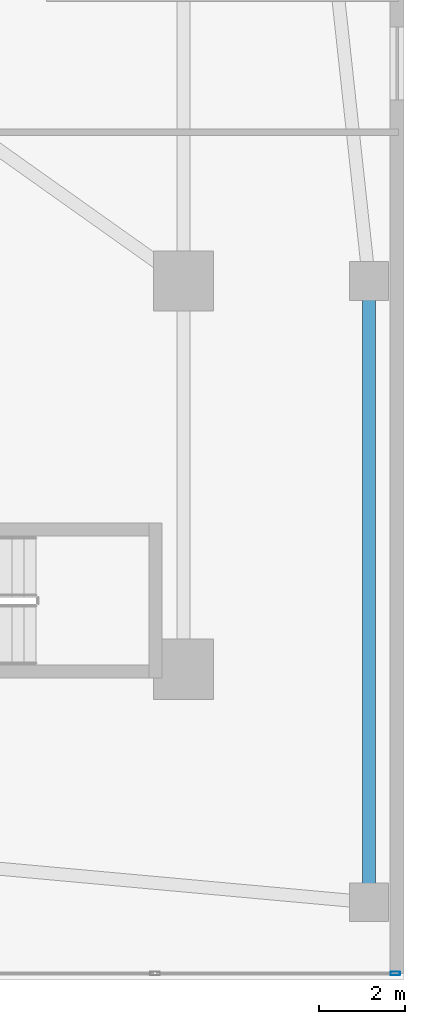
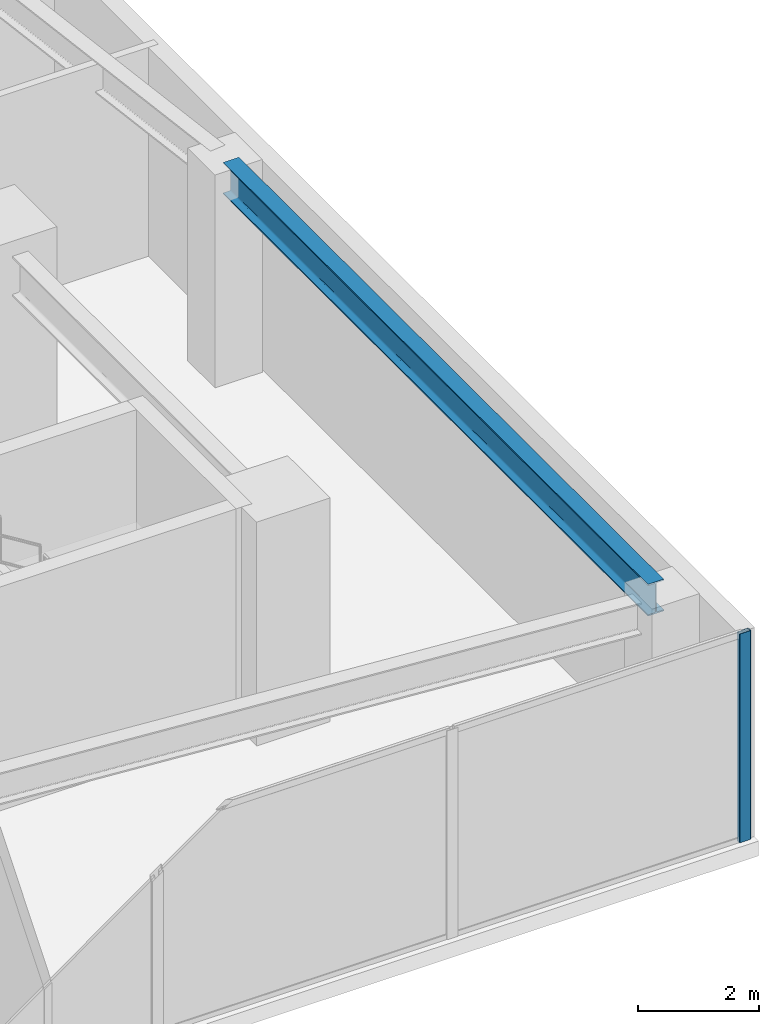
# One storey, part 15 of 29: 1 beam, 1 member, 1 element without a shape of its own.
"""IFC4 building model written with IfcOpenShell, lengths in metres."""

from ifc_helpers import new_model, si_unit, direction, frame, origin, origin_2d, place, context, subcontext, project, spatial, hollow_rectangle, i_section, extrude, material, layer, layer_set, material_profile, profile_set, type_object, element, aggregate, save


model = new_model("IFC4")

# Units and contexts
model_context = context("Model", 3, precision=1e-05, world=origin(), true_north=direction((0.0, 1.0)))
body_context = subcontext(model_context, "Body", "Model", "MODEL_VIEW")
ifc_project = project(units=[si_unit("LENGTHUNIT", "METRE"), si_unit("AREAUNIT", "SQUARE_METRE"), si_unit("VOLUMEUNIT", "CUBIC_METRE"), si_unit("PLANEANGLEUNIT", "RADIAN"), si_unit("MASSUNIT", "GRAM", prefix="KILO")], contexts=[model_context])

# Site, building, storey
site_placement = place(None, origin())
site = spatial("IfcSite", under=ifc_project, at=site_placement, CompositionType="ELEMENT")
building_placement = place(site_placement, origin())
building = spatial("IfcBuilding", under=site, at=building_placement, Name="Tarnavaz Court Tower", CompositionType="ELEMENT")
storey_placement = place(building_placement, frame((0.0, 0.0, 5.39990234375)))
storey = spatial("IfcBuildingStorey", under=building, at=storey_placement, Name="L01", CompositionType="ELEMENT", Elevation=5.39990234375)

# Beam
ifc_material_1 = material(Name="Steel S355", Category="steel")
ifc_material_profile_1 = material_profile(ifc_material_1, i_section(OverallWidth=0.300048828125, OverallDepth=0.639892578125, WebThickness=0.013427734375, FlangeThickness=0.02587890625, FilletRadius=0.027099609375, at=origin_2d()), Name="HEA 650")
ifc_profile_set_1 = profile_set([ifc_material_profile_1], Name="Steel S355")
beam_type = type_object("IfcBeamType", Name="BM-SP-HEA650", PredefinedType="SPANDREL", material=ifc_profile_set_1)
beam_placement = place(storey_placement, frame((32.199951171875, -28.0, 3.960205078125), z_axis=(0.0, 1.0, 0.0), x_axis=(-1.0, 0.0, 0.0)))
element("IfcBeam", 1, at=beam_placement, inside=storey, type_object=beam_type, Name="L01 Beam PR-POD-SE1-POD-E1", PredefinedType="SPANDREL", context=body_context, shape_type="SweptSolid", body=[
    extrude(i_section(OverallWidth=0.300048828125, OverallDepth=0.639892578125, WebThickness=0.013427734375, FlangeThickness=0.02587890625, FilletRadius=0.027099609375, at=origin_2d()), origin(), (0.0, 0.0, 1.0), 14.0),
])

# Curtain wall, member
ifc_material_2 = material(Name="Anodised Aluminium 6063-T6 and Solar Low-E Glazing", Category="aluminium")
ifc_layer = layer(ifc_material_2, 0.18994140625)
ifc_layer_set = layer_set([ifc_layer], Name="Anodised Aluminium 6063-T6 and Solar Low-E Glazing")
curtain_wall_type = type_object("IfcCurtainWallType", Name="CW-SYS-01", PredefinedType="NOTDEFINED", material=ifc_layer_set)
curtain_wall_placement = place(storey_placement, origin())
curtain_wall = element("IfcCurtainWall", 2, at=curtain_wall_placement, inside=storey, type_object=curtain_wall_type, Name="L01 Clinic South Curtain Wall 3", PredefinedType="NOTDEFINED")
ifc_material_3 = material(Name="Anodised Aluminium 6063-T6", Category="aluminium")
ifc_material_profile_2 = material_profile(ifc_material_3, hollow_rectangle(XDim=0.0849609375, YDim=0.219970703125, WallThickness=0.006103515625, InnerFilletRadius=0.006103515625, OuterFilletRadius=0.011962890625, at=origin_2d()), Name="ALU RHS 220X85X6")
ifc_profile_set_2 = profile_set([ifc_material_profile_2], Name="Anodised Aluminium 6063-T6")
member_type = type_object("IfcMemberType", Name="CW-MUL-220", PredefinedType="MULLION", material=ifc_profile_set_2)
member_placement = place(storey_placement, frame((32.8076171875, -29.85009765625, 0.0), z_axis=(0.0, 0.0, 1.0), x_axis=(0.0, -1.0, 0.0)))
member = element("IfcMember", 3, at=member_placement, type_object=member_type, Name="CW mullion 1", PredefinedType="MULLION", context=body_context, shape_type="SweptSolid", body=[
    extrude(hollow_rectangle(XDim=0.0849609375, YDim=0.219970703125, WallThickness=0.006103515625, InnerFilletRadius=0.006103515625, OuterFilletRadius=0.011962890625, at=origin_2d()), origin(), (0.0, 0.0, 1.0), 4.2001953125),
])
aggregate(curtain_wall, [member])

save(model, "model.ifc")
